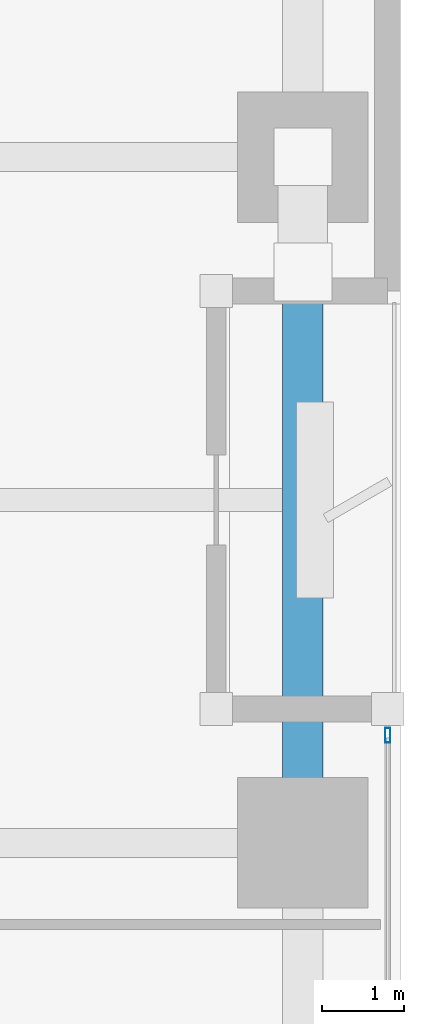
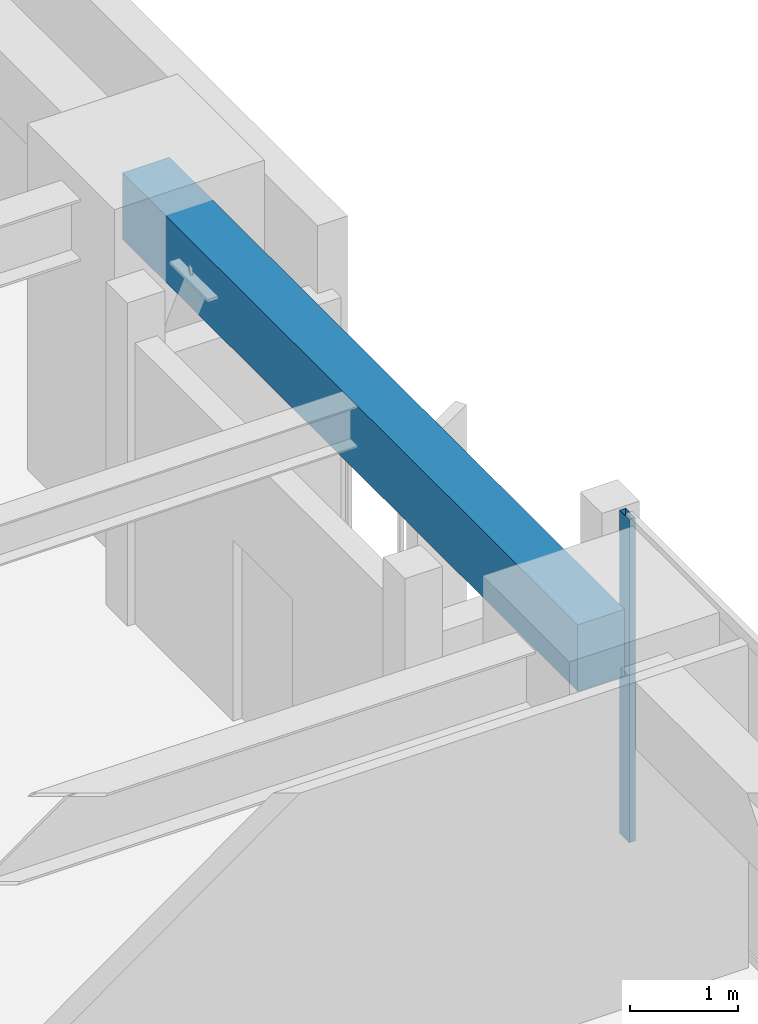
# One storey, part 10 of 29: 1 beam, 1 member, 1 element without a shape of its own.
"""IFC4 building model written with IfcOpenShell, lengths in metres."""

from ifc_helpers import new_model, si_unit, direction, frame, origin, origin_2d, place, context, subcontext, project, spatial, rectangle, hollow_rectangle, extrude, material, layer, layer_set, material_profile, profile_set, type_object, element, aggregate, save


model = new_model("IFC4")

# Units and contexts
model_context = context("Model", 3, precision=1e-05, world=origin(), true_north=direction((0.0, 1.0)))
body_context = subcontext(model_context, "Body", "Model", "MODEL_VIEW")
ifc_project = project(units=[si_unit("LENGTHUNIT", "METRE"), si_unit("AREAUNIT", "SQUARE_METRE"), si_unit("VOLUMEUNIT", "CUBIC_METRE"), si_unit("PLANEANGLEUNIT", "RADIAN"), si_unit("MASSUNIT", "GRAM", prefix="KILO")], contexts=[model_context])

# Site, building, storey
site_placement = place(None, origin())
site = spatial("IfcSite", under=ifc_project, at=site_placement, CompositionType="ELEMENT")
building_placement = place(site_placement, origin())
building = spatial("IfcBuilding", under=site, at=building_placement, Name="Kiyonajd Concourse Tower", CompositionType="ELEMENT")
storey_placement = place(building_placement, frame((0.0, 0.0, 52.800048828125)))
storey = spatial("IfcBuildingStorey", under=building, at=storey_placement, Name="L14", CompositionType="ELEMENT", Elevation=52.800048828125)

# Beam
ifc_material_1 = material(Name="Precast concrete C50/60", Category="concrete")
ifc_material_profile_1 = material_profile(ifc_material_1, rectangle(XDim=0.5, YDim=0.75, at=origin_2d()), Name="RCBM-500x750")
ifc_profile_set_1 = profile_set([ifc_material_profile_1], Name="Precast concrete C50/60")
beam_type = type_object("IfcBeamType", Name="BM-SPAN-RC", PredefinedType="SPANDREL", material=ifc_profile_set_1)
beam_placement = place(storey_placement, frame((78.0, 36.0, 3.264892578125), z_axis=(0.0, 1.0, 0.0), x_axis=(-1.0, 0.0, 0.0)))
element("IfcBeam", 1, at=beam_placement, inside=storey, type_object=beam_type, Name="L14 Perimeter Bundled Tube Spandrel", PredefinedType="SPANDREL", context=body_context, shape_type="SweptSolid", body=[
    extrude(rectangle(XDim=0.5, YDim=0.75, at=origin_2d()), origin(), (0.0, 0.0, 1.0), 8.39990234375),
])

# Curtain wall, member
ifc_material_2 = material(Name="Thermally Broken Anodised Aluminium", Category="aluminium")
ifc_layer = layer(ifc_material_2, 0.179931640625)
ifc_layer_set = layer_set([ifc_layer], Name="Thermally Broken Anodised Aluminium")
curtain_wall_type = type_object("IfcCurtainWallType", Name="CW-SYS-02", PredefinedType="NOTDEFINED", material=ifc_layer_set)
curtain_wall_placement = place(storey_placement, origin())
curtain_wall = element("IfcCurtainWall", 2, at=curtain_wall_placement, inside=storey, type_object=curtain_wall_type, Name="L14 Unitised Curtain Wall CW2", PredefinedType="NOTDEFINED")
ifc_material_profile_2 = material_profile(ifc_material_2, hollow_rectangle(XDim=0.06494140625, YDim=0.179931640625, WallThickness=0.00390625, at=origin_2d()), Name="MULL-65x180")
ifc_profile_set_2 = profile_set([ifc_material_profile_2], Name="Thermally Broken Anodised Aluminium")
member_type = type_object("IfcMemberType", Name="MB-CW-MULL1", PredefinedType="MULLION", material=ifc_profile_set_2)
member_placement = place(storey_placement, frame((79.0400390625, 37.3173828125, 0.0), z_axis=(0.0, 0.0, 1.0), x_axis=(1.0, 0.0, 0.0)))
member = element("IfcMember", 3, at=member_placement, type_object=member_type, Name="CW2 mullion 1", PredefinedType="MULLION", context=body_context, shape_type="SweptSolid", body=[
    extrude(hollow_rectangle(XDim=0.06494140625, YDim=0.179931640625, WallThickness=0.00390625, at=origin_2d()), origin(), (0.0, 0.0, 1.0), 3.639892578125),
])
aggregate(curtain_wall, [member])

save(model, "model.ifc")
